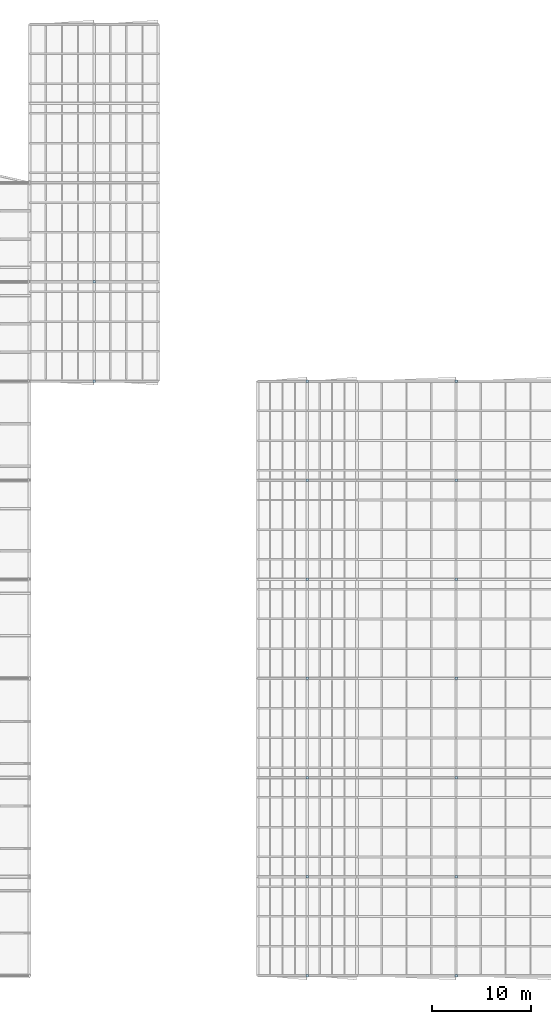
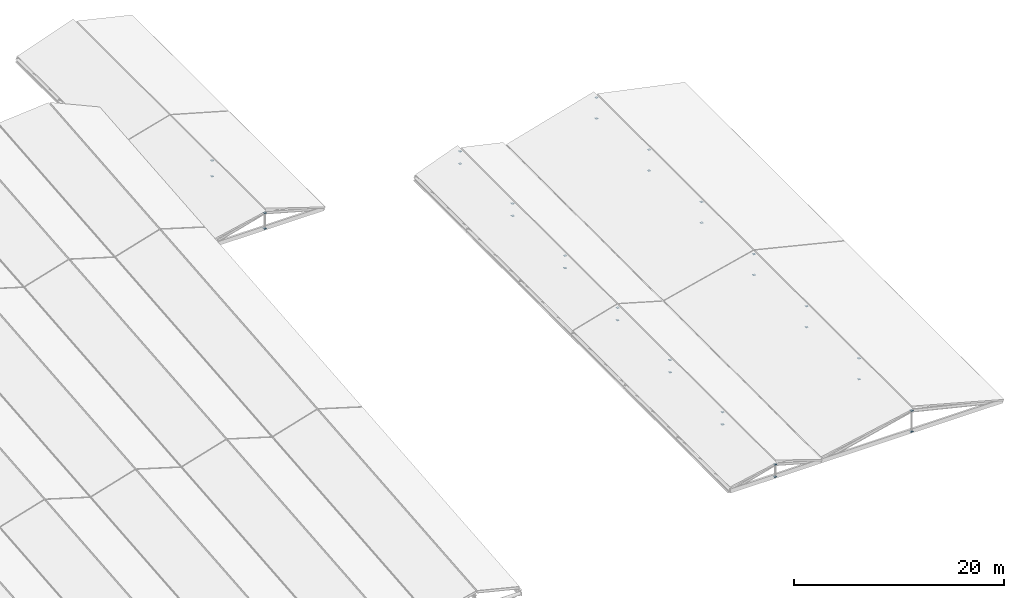
# One storey, part 87 of 90: 32 plates.
"""IFC4 building model written with IfcOpenShell, lengths in metres."""

from ifc_helpers import new_model, si_unit, direction, frame, origin, origin_2d, place, context, subcontext, project, spatial, rectangle, extrude, material, layer, layer_set, type_object, element, save


model = new_model("IFC4")

# Units and contexts
model_context = context("Model", 3, precision=1e-05, world=origin(), true_north=direction((0.0, 1.0)))
body_context = subcontext(model_context, "Body", "Model", "MODEL_VIEW")
ifc_project = project(units=[si_unit("LENGTHUNIT", "METRE"), si_unit("AREAUNIT", "SQUARE_METRE"), si_unit("VOLUMEUNIT", "CUBIC_METRE"), si_unit("PLANEANGLEUNIT", "RADIAN"), si_unit("MASSUNIT", "GRAM", prefix="KILO"), si_unit("THERMODYNAMICTEMPERATUREUNIT", "KELVIN"), si_unit("POWERUNIT", "WATT")], contexts=[model_context])

# Site, building, storey
site_placement = place(None, origin())
site = spatial("IfcSite", under=ifc_project, at=site_placement, CompositionType="ELEMENT")
building_placement = place(site_placement, origin())
building = spatial("IfcBuilding", under=site, at=building_placement, Name="Korenveer Ferry Terminal", CompositionType="ELEMENT")
storey_placement = place(building_placement, frame((0.0, 0.0, 22.199951171875)))
storey = spatial("IfcBuildingStorey", under=building, at=storey_placement, Name="RF", CompositionType="ELEMENT", Elevation=22.199951171875)

# Plates
ifc_material = material(Name="Steel S355", Category="steel")
ifc_layer = layer(ifc_material, 0.031982421875)
ifc_layer_set = layer_set([ifc_layer], Name="Steel S355")
plate_type = type_object("IfcPlateType", Name="STR-PLT-CAP32", PredefinedType="USERDEFINED", material=ifc_layer_set)
for number, where, z_axis, x_axis, name in (
    (1, (166.0, 20.0, -7.65185546875), (0.0, 0.0, 1.0), (1.0, 0.0, 0.0), "Hollow section end cap 462"),
    (2, (166.0, 20.0, -5.2197265625), (0.0, 0.0, 1.0), (1.0, 0.0, 0.0), "Hollow section end cap 463"),
    (3, (166.0, 30.0, -7.65185546875), (0.0, 0.0, 1.0), (1.0, 0.0, 0.0), "Hollow section end cap 464"),
    (4, (166.0, 30.0, -5.2197265625), (0.0, 0.0, 1.0), (1.0, 0.0, 0.0), "Hollow section end cap 465"),
    (5, (166.0, 40.0, -7.65185546875), (0.0, 0.0, 1.0), (1.0, 0.0, 0.0), "Hollow section end cap 466"),
    (6, (166.0, 40.0, -5.2197265625), (0.0, 0.0, 1.0), (1.0, 0.0, 0.0), "Hollow section end cap 467"),
    (7, (166.0, 50.0, -7.65185546875), (0.0, 0.0, 1.0), (1.0, 0.0, 0.0), "Hollow section end cap 468"),
    (8, (166.0, 50.0, -5.2197265625), (0.0, 0.0, 1.0), (1.0, 0.0, 0.0), "Hollow section end cap 469"),
    (9, (166.0, 60.0, -7.65185546875), (0.0, 0.0, 1.0), (1.0, 0.0, 0.0), "Hollow section end cap 470"),
    (10, (166.0, 60.0, -5.2197265625), (0.0, 0.0, 1.0), (1.0, 0.0, 0.0), "Hollow section end cap 471"),
    (11, (166.0, 70.0, -7.65185546875), (0.0, 0.0, 1.0), (1.0, 0.0, 0.0), "Hollow section end cap 472"),
    (12, (166.0, 70.0, -5.2197265625), (0.0, 0.0, 1.0), (1.0, 0.0, 0.0), "Hollow section end cap 473"),
    (13, (166.0, 80.0, -7.65185546875), (0.0, 0.0, 1.0), (1.0, 0.0, 0.0), "Hollow section end cap 474"),
    (14, (166.0, 80.0, -5.2197265625), (0.0, 0.0, 1.0), (1.0, 0.0, 0.0), "Hollow section end cap 475"),
    (15, (151.0, 20.0, -7.65185546875), (0.0, 0.0, 1.0), (1.0, 0.0, 0.0), "Hollow section end cap 476"),
    (16, (151.0, 20.0, -6.2197265625), (0.0, 0.0, 1.0), (1.0, 0.0, 0.0), "Hollow section end cap 477"),
    (17, (151.0, 30.0, -7.65185546875), (0.0, 0.0, 1.0), (1.0, 0.0, 0.0), "Hollow section end cap 478"),
    (18, (151.0, 30.0, -6.2197265625), (0.0, 0.0, 1.0), (1.0, 0.0, 0.0), "Hollow section end cap 479"),
    (19, (151.0, 40.0, -7.65185546875), (0.0, 0.0, 1.0), (1.0, 0.0, 0.0), "Hollow section end cap 480"),
    (20, (151.0, 40.0, -6.2197265625), (0.0, 0.0, 1.0), (1.0, 0.0, 0.0), "Hollow section end cap 481"),
    (21, (151.0, 50.0, -7.65185546875), (0.0, 0.0, 1.0), (1.0, 0.0, 0.0), "Hollow section end cap 482"),
    (22, (151.0, 50.0, -6.2197265625), (0.0, 0.0, 1.0), (1.0, 0.0, 0.0), "Hollow section end cap 483"),
    (23, (151.0, 60.0, -7.65185546875), (0.0, 0.0, 1.0), (1.0, 0.0, 0.0), "Hollow section end cap 484"),
    (24, (151.0, 60.0, -6.2197265625), (0.0, 0.0, 1.0), (1.0, 0.0, 0.0), "Hollow section end cap 485"),
    (25, (151.0, 70.0, -7.65185546875), (0.0, 0.0, 1.0), (1.0, 0.0, 0.0), "Hollow section end cap 486"),
    (26, (151.0, 70.0, -6.2197265625), (0.0, 0.0, 1.0), (1.0, 0.0, 0.0), "Hollow section end cap 487"),
    (27, (151.0, 80.0, -7.65185546875), (0.0, 0.0, 1.0), (1.0, 0.0, 0.0), "Hollow section end cap 488"),
    (28, (151.0, 80.0, -6.2197265625), (0.0, 0.0, 1.0), (1.0, 0.0, 0.0), "Hollow section end cap 489"),
    (29, (129.5, 80.0, -7.65185546875), (0.0, 0.0, 1.0), (1.0, 0.0, 0.0), "Hollow section end cap 516"),
    (30, (129.5, 80.0, -5.81982421875), (0.0, 0.0, 1.0), (1.0, 0.0, 0.0), "Hollow section end cap 517"),
    (31, (129.5, 90.0, -7.65185546875), (0.0, 0.0, 1.0), (1.0, 0.0, 0.0), "Hollow section end cap 518"),
    (32, (129.5, 90.0, -5.81982421875), (0.0, 0.0, 1.0), (1.0, 0.0, 0.0), "Hollow section end cap 519"),
):
    element("IfcPlate", number, at=place(storey_placement, frame(where, z_axis=z_axis, x_axis=x_axis)), inside=storey, type_object=plate_type, Name=name, ObjectType="END CAP PLATE", PredefinedType="USERDEFINED", context=body_context, shape_type="SweptSolid", body=[
        extrude(rectangle(XDim=0.2490234375, YDim=0.2490234375, at=origin_2d()), origin(), (0.0, 0.0, 1.0), 0.031982421875),
    ])

save(model, "model.ifc")
